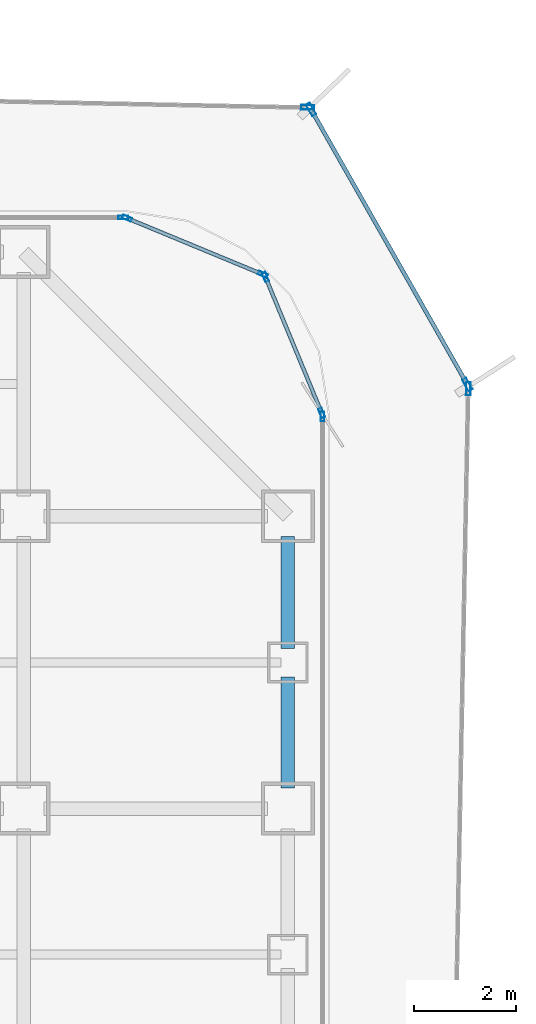
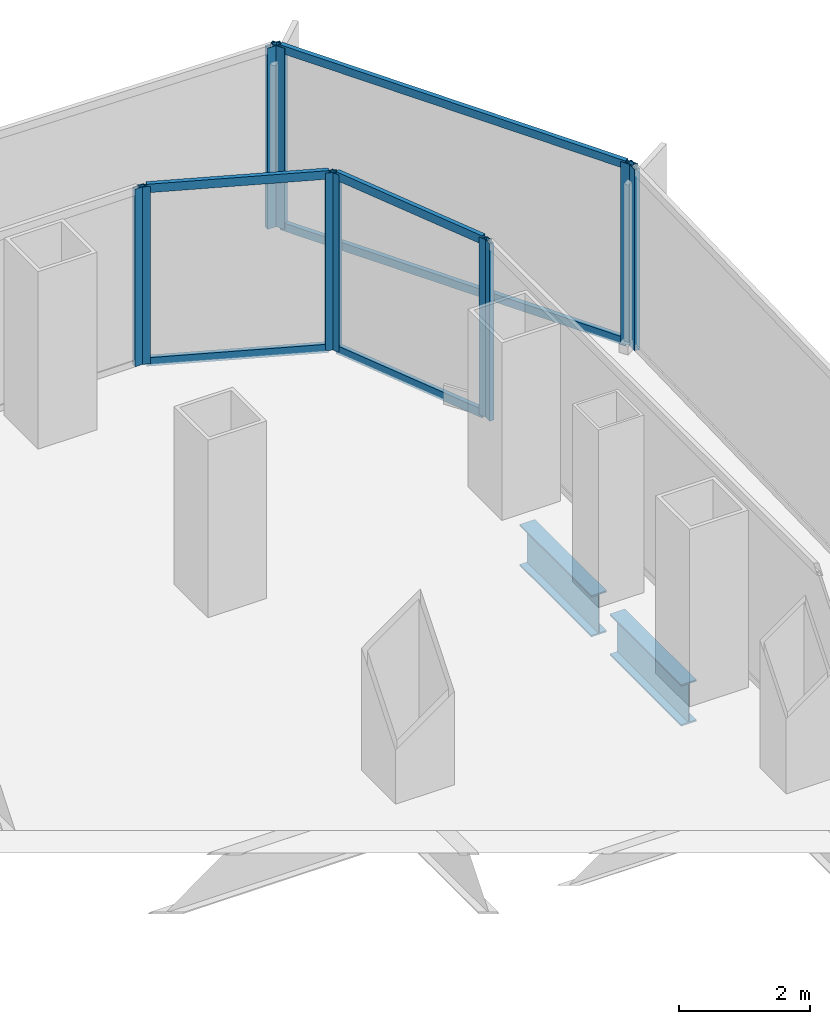
# One storey, part 15 of 21: 16 members, 2 beams, 7 elements without a shape of their own.
"""IFC4 building model written with IfcOpenShell, lengths in metres."""

import ifcopenshell
import ifcopenshell.guid

model = None  # the IFC model being written
_history = None  # IfcOwnerHistory: only IFC2X3 demands one
_inside = {}  # id of a spatial element -> (the spatial element, [elements in it])
_under = {}  # id of a project, library or spatial element -> (it, [spatial elements below it])
_declared = {}  # id of a project -> (the project, [libraries it declares])
_typed = {}  # id of a type object -> (the type object, [elements of that type])
_made_of = {}  # id of a material, layer set ... -> (it, [elements and type objects made of it])


def new_model(schema):
    """Start an empty IFC model of exactly this schema.

    Asked for "IFC4X3", IfcOpenShell would pick the latest addendum, in which some entities
    have other attributes; the version numbers below select the first issue.
    IFC2X3 requires an IfcOwnerHistory on every rooted entity: one is made here for all.
    """
    global model, _history
    if schema == "IFC4X3":
        model = ifcopenshell.file(schema_version=(4, 3, 0, 0))
    else:
        model = ifcopenshell.file(schema=schema)
    _inside.clear()
    _under.clear()
    _declared.clear()
    _typed.clear()
    _made_of.clear()
    _history = None
    if model.schema == "IFC2X3":
        org = make("IfcOrganization", Name="unknown")
        user = make(
            "IfcPersonAndOrganization",
            ThePerson=make("IfcPerson", FamilyName="unknown"),
            TheOrganization=org,
        )
        app = make(
            "IfcApplication",
            ApplicationDeveloper=org,
            Version="unknown",
            ApplicationFullName="unknown",
            ApplicationIdentifier="unknown",
        )
        _history = make(
            "IfcOwnerHistory",
            OwningUser=user,
            OwningApplication=app,
            ChangeAction="ADDED",
            CreationDate=0,
        )
    return model


def make(cls, **values):
    """One entity of the class cls with the attributes given. An attribute that is None is left unset."""
    return model.create_entity(
        cls, **{name: value for name, value in values.items() if value is not None}
    )


def rooted(cls, **values):
    """An entity with a GlobalId (a new one), such as an element, a storey or a relation."""
    return make(cls, GlobalId=ifcopenshell.guid.new(), OwnerHistory=_history, **values)


def si_unit(unit_type, name, prefix=None):
    """IfcSIUnit, for example si_unit("LENGTHUNIT", "METRE", prefix="MILLI")."""
    return make("IfcSIUnit", UnitType=unit_type, Prefix=prefix, Name=name)


def assignment(units):
    """IfcUnitAssignment: the units of a project."""
    return None if units is None else make("IfcUnitAssignment", Units=units)


def point(xyz):
    """IfcCartesianPoint."""
    return None if xyz is None else make("IfcCartesianPoint", Coordinates=xyz)


def direction(xyz):
    """IfcDirection."""
    return None if xyz is None else make("IfcDirection", DirectionRatios=xyz)


def frame(location, z_axis=None, x_axis=None):
    """IfcAxis2Placement3D, a coordinate frame: its origin and axes. An axis left out is left unset."""
    return make(
        "IfcAxis2Placement3D",
        Location=point(location),
        Axis=direction(z_axis),
        RefDirection=direction(x_axis),
    )


def frame_2d(location, x_axis=None):
    """IfcAxis2Placement2D, a coordinate frame in the plane: its origin and x axis."""
    return make(
        "IfcAxis2Placement2D", Location=point(location), RefDirection=direction(x_axis)
    )


def origin():
    """The frame at (0, 0, 0) with its axes left unset."""
    return frame((0.0, 0.0, 0.0))


def origin_2d():
    """The frame at (0, 0) in the plane with its x axis left unset."""
    return frame_2d((0.0, 0.0))


def place(relative_to, where):
    """IfcLocalPlacement: puts the frame where relative to a parent placement (None: the world)."""
    return make(
        "IfcLocalPlacement", PlacementRelTo=relative_to, RelativePlacement=where
    )


def context(
    kind, dimensions, precision=None, world=None, true_north=None, identifier=None
):
    """IfcGeometricRepresentationContext, for example the 3D "Model" context."""
    return make(
        "IfcGeometricRepresentationContext",
        ContextIdentifier=identifier,
        ContextType=kind,
        CoordinateSpaceDimension=dimensions,
        Precision=precision,
        WorldCoordinateSystem=world,
        TrueNorth=true_north,
    )


def subcontext(parent, identifier, kind, view, scale=None):
    """IfcGeometricRepresentationSubContext, for example "Body" below "Model"."""
    return make(
        "IfcGeometricRepresentationSubContext",
        ContextIdentifier=identifier,
        ContextType=kind,
        ParentContext=parent,
        TargetScale=scale,
        TargetView=view,
    )


def project(units=None, contexts=None):
    """IfcProject with its units and contexts."""
    return rooted(
        "IfcProject",
        Name="project",
        RepresentationContexts=contexts,
        UnitsInContext=assignment(units),
    )


def spatial(cls, under=None, at=None, **own):
    """A site, building, storey or space (cls), placed at a placement, below another one or the project."""
    s = rooted(cls, ObjectPlacement=at, **own)
    if under is not None:
        _under.setdefault(under.id(), (under, []))[1].append(s)
    return s


def profile(cls, at=None, kind="AREA", **sizes):
    """A parametric profile (cls). Its sizes go by their IFC names, for example OverallWidth=200.0."""
    return make(cls, ProfileType=kind, Position=at, **sizes)


def hollow_rectangle(**sizes):
    """IfcRectangleHollowProfileDef."""
    return profile("IfcRectangleHollowProfileDef", **sizes)


def i_section(**sizes):
    """IfcIShapeProfileDef."""
    return profile("IfcIShapeProfileDef", **sizes)


def extrude(swept, where, along, depth):
    """IfcExtrudedAreaSolid: the profile swept, set in the frame where, extruded along a direction by depth."""
    return make(
        "IfcExtrudedAreaSolid",
        SweptArea=swept,
        Position=where,
        ExtrudedDirection=direction(along),
        Depth=depth,
    )


def shape(context_of_items, identifier, shape_type, items):
    """IfcShapeRepresentation: the items that make up one representation, for example the "Body"."""
    return make(
        "IfcShapeRepresentation",
        ContextOfItems=context_of_items,
        RepresentationIdentifier=identifier,
        RepresentationType=shape_type,
        Items=items,
    )


def source(mapping_origin, context_of_items, identifier, shape_type, items):
    """IfcRepresentationMap: a shape defined once, which mapped items show again and again."""
    return make(
        "IfcRepresentationMap",
        MappingOrigin=mapping_origin,
        MappedRepresentation=shape(context_of_items, identifier, shape_type, items),
    )


def transform(
    local_origin,
    x_axis=None,
    y_axis=None,
    z_axis=None,
    scale=None,
    scale2=None,
    scale3=None,
    uniform=True,
):
    """IfcCartesianTransformationOperator3D, or its non-uniform kind. x_axis, y_axis, z_axis: its Axis1, 2, 3."""
    if uniform:
        return make(
            "IfcCartesianTransformationOperator3D",
            Axis1=direction(x_axis),
            Axis2=direction(y_axis),
            LocalOrigin=point(local_origin),
            Scale=scale,
            Axis3=direction(z_axis),
        )
    return make(
        "IfcCartesianTransformationOperator3DnonUniform",
        Axis1=direction(x_axis),
        Axis2=direction(y_axis),
        LocalOrigin=point(local_origin),
        Scale=scale,
        Axis3=direction(z_axis),
        Scale2=scale2,
        Scale3=scale3,
    )


def mapped(mapping_source, mapping_target):
    """IfcMappedItem: shows the shape of a source again, moved by a transform."""
    return make(
        "IfcMappedItem", MappingSource=mapping_source, MappingTarget=mapping_target
    )


def material(Name=None, Category=None):
    """IfcMaterial."""
    return make("IfcMaterial", Name=Name, Category=Category)


def layer(
    of_material, thickness, ventilated=None, Name=None, Category=None, Priority=None
):
    """IfcMaterialLayer: one layer of a wall or slab, of a material (None: an air gap)."""
    return make(
        "IfcMaterialLayer",
        Material=of_material,
        LayerThickness=thickness,
        IsVentilated=ventilated,
        Name=Name,
        Category=Category,
        Priority=Priority,
    )


def layer_set(layers, Name=None):
    """IfcMaterialLayerSet."""
    return make("IfcMaterialLayerSet", MaterialLayers=layers, LayerSetName=Name)


def material_profile(
    of_material, cross_section, Name=None, Category=None, Priority=None
):
    """IfcMaterialProfile: a cross section and its material."""
    return make(
        "IfcMaterialProfile",
        Name=Name,
        Material=of_material,
        Profile=cross_section,
        Priority=Priority,
        Category=Category,
    )


def profile_set(profiles, Name=None, composite=None):
    """IfcMaterialProfileSet."""
    return make(
        "IfcMaterialProfileSet",
        Name=Name,
        MaterialProfiles=profiles,
        CompositeProfile=composite,
    )


def made_of(thing, what):
    """Note that an element or type object is made of a material, layer set ...; save() writes the relation."""
    if what is not None:
        _made_of.setdefault(what.id(), (what, []))[1].append(thing)
    return thing


def type_object(cls, material=None, **own):
    """A type object (cls), such as IfcWallType, which elements share."""
    return made_of(rooted(cls, **own), material)


def element(
    cls,
    number,
    at=None,
    inside=None,
    cuts=None,
    type_object=None,
    material=None,
    context=None,
    identifier="Body",
    shape_type=None,
    held_by="IfcProductDefinitionShape",
    body=None,
    shapes=None,
    **own,
):
    """One element of the class cls, such as IfcWall. Its Tag is "e" and its number.

    at: its placement. inside: the storey or other place that contains it. cuts: it is an
    opening in that element (IfcRelVoidsElement). A single representation is given by context,
    identifier, shape_type and body (its items); several are given by shapes. held_by: the class
    of the entity that holds the representations. save() writes the other relations.
    """
    e = rooted(cls, Tag="e%d" % number, ObjectPlacement=at, **own)
    if body is not None:
        shapes = [shape(context, identifier, shape_type, body)]
    if shapes is not None:
        e.Representation = make(held_by, Representations=shapes)
    if inside is not None:
        _inside.setdefault(inside.id(), (inside, []))[1].append(e)
    if cuts is not None:
        rooted(
            "IfcRelVoidsElement", RelatingBuildingElement=cuts, RelatedOpeningElement=e
        )
    if type_object is not None:
        _typed.setdefault(type_object.id(), (type_object, []))[1].append(e)
    return made_of(e, material)


def aggregate(whole, parts):
    """IfcRelAggregates: a whole, such as a stair, and the parts it consists of."""
    return rooted("IfcRelAggregates", RelatingObject=whole, RelatedObjects=parts)


def save(model, path):
    """Write the relations noted so far, then the file.

    IfcRelAggregates (storeys below a building ...), IfcRelContainedInSpatialStructure (elements
    in a storey), IfcRelDefinesByType, IfcRelAssociatesMaterial and IfcRelDeclares: one each for
    every whole, place, type object, material and project.
    """
    for whole, parts in _under.values():
        aggregate(whole, parts)
    for where, things in _inside.values():
        rooted(
            "IfcRelContainedInSpatialStructure",
            RelatedElements=things,
            RelatingStructure=where,
        )
    for kind, things in _typed.values():
        rooted("IfcRelDefinesByType", RelatedObjects=things, RelatingType=kind)
    for what, things in _made_of.values():
        rooted("IfcRelAssociatesMaterial", RelatedObjects=things, RelatingMaterial=what)
    for by, libraries in _declared.values():
        rooted("IfcRelDeclares", RelatingContext=by, RelatedDefinitions=libraries)
    model.write(path)


model = new_model("IFC4")

# Units and contexts
model_context = context("Model", 3, precision=1e-05, world=origin(), true_north=direction((0.0, 1.0)))
body_context = subcontext(model_context, "Body", "Model", "MODEL_VIEW")
ifc_project = project(units=[si_unit("LENGTHUNIT", "METRE"), si_unit("AREAUNIT", "SQUARE_METRE"), si_unit("VOLUMEUNIT", "CUBIC_METRE"), si_unit("PLANEANGLEUNIT", "RADIAN"), si_unit("MASSUNIT", "GRAM", prefix="KILO")], contexts=[model_context])

# Site, building, storey
site_placement = place(None, origin())
site = spatial("IfcSite", under=ifc_project, at=site_placement, CompositionType="ELEMENT")
building_placement = place(site_placement, origin())
building = spatial("IfcBuilding", under=site, at=building_placement, Name="Kolveth Station Tower", CompositionType="ELEMENT")
storey_placement = place(building_placement, frame((0.0, 0.0, 62.10009765625)))
storey = spatial("IfcBuildingStorey", under=building, at=storey_placement, Name="L16", CompositionType="ELEMENT", Elevation=62.10009765625)

# Beams
ifc_material_1 = material(Name="Steel S355", Category="steel")
ifc_material_profile_1 = material_profile(ifc_material_1, i_section(OverallWidth=0.26904296875, OverallDepth=0.77490234375, WebThickness=0.01708984375, FlangeThickness=0.0283203125, at=origin_2d()), Name="W760x220")
ifc_profile_set_1 = profile_set([ifc_material_profile_1], Name="Steel S355")
beam_type = type_object("IfcBeamType", Name="Beam_SP1", PredefinedType="SPANDREL", material=ifc_profile_set_1)
shared_shape_1 = source(origin(), body_context, "Body", "SweptSolid", [
    extrude(i_section(OverallWidth=0.26904296875, OverallDepth=0.77490234375, WebThickness=0.01708984375, FlangeThickness=0.0283203125, at=origin_2d()), origin(), (0.0, 0.0, 1.0), 2.2001953125),
])
beam_1_placement = place(storey_placement, frame((46.199951171875, 31.89990234375, -0.66748046875), z_axis=(0.0, 1.0, 0.0), x_axis=(-1.0, 0.0, 0.0)))
element("IfcBeam", 1, at=beam_1_placement, inside=storey, type_object=beam_type, Name="L16 Perimeter Spandrel BM-L16-PE-10", PredefinedType="SPANDREL", context=body_context, shape_type="MappedRepresentation", body=[
    mapped(shared_shape_1, transform((0.0, 0.0, 0.0), x_axis=(1.0, 0.0, 0.0), y_axis=(0.0, 1.0, 0.0), z_axis=(0.0, 0.0, 1.0), scale=1.0)),
])
shared_shape_2 = source(origin(), body_context, "Body", "SweptSolid", [
    extrude(i_section(OverallWidth=0.26904296875, OverallDepth=0.77490234375, WebThickness=0.01708984375, FlangeThickness=0.0283203125, at=origin_2d()), origin(), (0.0, 0.0, 1.0), 2.190185546875),
])
beam_2_placement = place(storey_placement, frame((46.199951171875, 29.14990234375, -0.66748046875), z_axis=(0.0, 1.0, 0.0), x_axis=(-1.0, 0.0, 0.0)))
element("IfcBeam", 2, at=beam_2_placement, inside=storey, type_object=beam_type, Name="L16 Perimeter Spandrel BM-L16-PE-9", PredefinedType="SPANDREL", context=body_context, shape_type="MappedRepresentation", body=[
    mapped(shared_shape_2, transform((0.0, 0.0, 0.0), x_axis=(1.0, 0.0, 0.0), y_axis=(0.0, 1.0, 0.0), z_axis=(0.0, 0.0, 1.0), scale=1.0)),
])

# Curtain wall, members
ifc_material_2 = material(Name="Aluminium 6063-T6 and low-E dark glass", Category="aluminium")
ifc_layer_1 = layer(ifc_material_2, 0.179931640625)
ifc_layer_set_1 = layer_set([ifc_layer_1], Name="Aluminium 6063-T6 and low-E dark glass")
curtain_wall_type_1 = type_object("IfcCurtainWallType", Name="CurtainWall_CW-Z1", PredefinedType="NOTDEFINED", material=ifc_layer_set_1)
curtain_wall_1_placement = place(storey_placement, origin())
curtain_wall_1 = element("IfcCurtainWall", 3, at=curtain_wall_1_placement, inside=storey, type_object=curtain_wall_type_1, Name="L16 Inner Thermal Curtain Wall 4", PredefinedType="NOTDEFINED")
ifc_material_3 = material(Name="Black anodized aluminium 6063-T6", Category="aluminium")
ifc_material_profile_2 = material_profile(ifc_material_3, hollow_rectangle(XDim=0.074951171875, YDim=0.159912109375, WallThickness=0.0048828125, at=origin_2d()), Name="ALU-75x160x5")
ifc_profile_set_2 = profile_set([ifc_material_profile_2], Name="Black anodized aluminium 6063-T6")
member_type_1 = type_object("IfcMemberType", Name="Transom_TR1", PredefinedType="USERDEFINED", material=ifc_profile_set_2)
shared_shape_3 = source(origin(), body_context, "Body", "SweptSolid", [
    extrude(hollow_rectangle(XDim=0.074951171875, YDim=0.159912109375, WallThickness=0.0048828125, at=origin_2d()), origin(), (0.0, 0.0, 1.0), 2.819580078125),
])
member_1_placement = place(storey_placement, frame((46.851318359375, 36.5693359375, 0.037353515625), z_axis=(-0.382708655389, 0.923869084389, 0.0), x_axis=(-0.923869084389, -0.382708655389, 0.0)))
member_1 = element("IfcMember", 4, at=member_1_placement, type_object=member_type_1, Name="CW-Z1 transom 1.1", ObjectType="TRANSOM", PredefinedType="USERDEFINED", context=body_context, shape_type="MappedRepresentation", body=[
    mapped(shared_shape_3, transform((0.0, 0.0, 0.0), x_axis=(1.0, 0.0, 0.0), y_axis=(0.0, 1.0, 0.0), z_axis=(0.0, 0.0, 1.0), scale=1.0)),
])
member_2_placement = place(storey_placement, frame((46.851318359375, 36.5693359375, 3.282470703125), z_axis=(-0.382708655389, 0.923869084389, 0.0), x_axis=(-0.923869084389, -0.382708655389, 0.0)))
member_2 = element("IfcMember", 5, at=member_2_placement, type_object=member_type_1, Name="CW-Z1 transom 1.2", ObjectType="TRANSOM", PredefinedType="USERDEFINED", context=body_context, shape_type="MappedRepresentation", body=[
    mapped(shared_shape_3, transform((0.0, 0.0, 0.0), x_axis=(1.0, 0.0, 0.0), y_axis=(0.0, 1.0, 0.0), z_axis=(0.0, 0.0, 1.0), scale=1.0)),
])

curtain_wall_2_placement = place(storey_placement, origin())
curtain_wall_2 = element("IfcCurtainWall", 6, at=curtain_wall_2_placement, inside=storey, type_object=curtain_wall_type_1, Name="L16 Inner Thermal Curtain Wall 5", PredefinedType="NOTDEFINED")
member_3_placement = place(storey_placement, frame((45.67431640625, 39.272216796875, 0.037353515625), z_axis=(-0.923869084389, 0.382708655389, 0.0), x_axis=(-0.382708655389, -0.923869084389, 0.0)))
member_3 = element("IfcMember", 7, at=member_3_placement, type_object=member_type_1, Name="CW-Z1 transom 1.1", ObjectType="TRANSOM", PredefinedType="USERDEFINED", context=body_context, shape_type="MappedRepresentation", body=[
    mapped(shared_shape_3, transform((0.0, 0.0, 0.0), x_axis=(1.0, 0.0, 0.0), y_axis=(0.0, 1.0, 0.0), z_axis=(0.0, 0.0, 1.0), scale=1.0)),
])
member_4_placement = place(storey_placement, frame((45.67431640625, 39.272216796875, 3.282470703125), z_axis=(-0.923869084389, 0.382708655389, 0.0), x_axis=(-0.382708655389, -0.923869084389, 0.0)))
member_4 = element("IfcMember", 8, at=member_4_placement, type_object=member_type_1, Name="CW-Z1 transom 1.2", ObjectType="TRANSOM", PredefinedType="USERDEFINED", context=body_context, shape_type="MappedRepresentation", body=[
    mapped(shared_shape_3, transform((0.0, 0.0, 0.0), x_axis=(1.0, 0.0, 0.0), y_axis=(0.0, 1.0, 0.0), z_axis=(0.0, 0.0, 1.0), scale=1.0)),
])

# Curtain wall, member
ifc_material_4 = material(Name="Black anodized aluminium 6063-T6 and dark solar glass", Category="aluminium")
ifc_layer_2 = layer(ifc_material_4, 0.159912109375)
ifc_layer_set_2 = layer_set([ifc_layer_2], Name="Black anodized aluminium 6063-T6 and dark solar glass")
curtain_wall_type_2 = type_object("IfcCurtainWallType", Name="OUTER SKIN CW-OS", PredefinedType="NOTDEFINED", material=ifc_layer_set_2)
curtain_wall_3_placement = place(storey_placement, origin())
curtain_wall_3 = element("IfcCurtainWall", 9, at=curtain_wall_3_placement, inside=storey, type_object=curtain_wall_type_2, Name="L16 Outer Ventilated Skin Curtain Wall 2", PredefinedType="NOTDEFINED")
ifc_material_profile_3 = material_profile(ifc_material_3, hollow_rectangle(XDim=0.090087890625, YDim=0.260009765625, WallThickness=0.0048828125, at=origin_2d()), Name="ALU-90x260x5")
ifc_profile_set_3 = profile_set([ifc_material_profile_3], Name="Black anodized aluminium 6063-T6")
member_type_2 = type_object("IfcMemberType", Name="FIN MULLION ML-OS", PredefinedType="MULLION", material=ifc_profile_set_3)
shared_shape_4 = source(origin(), body_context, "Body", "SweptSolid", [
    extrude(hollow_rectangle(XDim=0.090087890625, YDim=0.260009765625, WallThickness=0.0048828125, at=origin_2d()), origin(), (0.0, 0.0, 1.0), 3.389892578125),
])
member_5_placement = place(storey_placement, frame((49.751953125, 37.010009765625, 0.0), z_axis=(0.0, 0.0, 1.0), x_axis=(-0.999811078931, 0.01943724381, 0.0)))
member_5 = element("IfcMember", 10, at=member_5_placement, type_object=member_type_2, Name="CW-OS mullion 2", PredefinedType="MULLION", context=body_context, shape_type="MappedRepresentation", body=[
    mapped(shared_shape_4, transform((0.0, 0.0, 0.0), x_axis=(1.0, 0.0, 0.0), y_axis=(0.0, 1.0, 0.0), z_axis=(0.0, 0.0, 1.0), scale=1.0)),
])
aggregate(curtain_wall_3, [member_5])

# Curtain wall, members
curtain_wall_4_placement = place(storey_placement, origin())
curtain_wall_4 = element("IfcCurtainWall", 11, at=curtain_wall_4_placement, inside=storey, type_object=curtain_wall_type_2, Name="L16 Outer Ventilated Skin Curtain Wall 3", PredefinedType="NOTDEFINED")
member_6_placement = place(storey_placement, frame((49.730712890625, 37.09423828125, 0.0), z_axis=(0.0, 0.0, 1.0), x_axis=(-0.869496595267, -0.493938934301, 0.0)))
member_6 = element("IfcMember", 12, at=member_6_placement, type_object=member_type_2, Name="CW-OS mullion 1", PredefinedType="MULLION", context=body_context, shape_type="MappedRepresentation", body=[
    mapped(shared_shape_4, transform((0.0, 0.0, 0.0), x_axis=(1.0, 0.0, 0.0), y_axis=(0.0, 1.0, 0.0), z_axis=(0.0, 0.0, 1.0), scale=1.0)),
])
member_7_placement = place(storey_placement, frame((46.65625, 42.50634765625, 0.0), z_axis=(0.0, 0.0, 1.0), x_axis=(-0.869496595267, -0.493938934301, 0.0)))
member_7 = element("IfcMember", 13, at=member_7_placement, type_object=member_type_2, Name="CW-OS mullion 2", PredefinedType="MULLION", context=body_context, shape_type="MappedRepresentation", body=[
    mapped(shared_shape_4, transform((0.0, 0.0, 0.0), x_axis=(1.0, 0.0, 0.0), y_axis=(0.0, 1.0, 0.0), z_axis=(0.0, 0.0, 1.0), scale=1.0)),
])

# Curtain wall, member
curtain_wall_5_placement = place(storey_placement, origin())
curtain_wall_5 = element("IfcCurtainWall", 14, at=curtain_wall_5_placement, inside=storey, type_object=curtain_wall_type_2, Name="L16 Outer Ventilated Skin Curtain Wall 4", PredefinedType="NOTDEFINED")
member_8_placement = place(storey_placement, frame((46.589111328125, 42.54638671875, 0.0), z_axis=(0.0, 0.0, 1.0), x_axis=(-0.020301204973, -0.999793909302, 0.0)))
member_8 = element("IfcMember", 15, at=member_8_placement, type_object=member_type_2, Name="CW-OS mullion 1", PredefinedType="MULLION", context=body_context, shape_type="MappedRepresentation", body=[
    mapped(shared_shape_4, transform((0.0, 0.0, 0.0), x_axis=(1.0, 0.0, 0.0), y_axis=(0.0, 1.0, 0.0), z_axis=(0.0, 0.0, 1.0), scale=1.0)),
])
aggregate(curtain_wall_5, [member_8])

curtain_wall_6_placement = place(storey_placement, origin())
curtain_wall_6 = element("IfcCurtainWall", 16, at=curtain_wall_6_placement, inside=storey, type_object=curtain_wall_type_1, Name="L16 Inner Thermal Curtain Wall 3", PredefinedType="NOTDEFINED")
ifc_material_profile_4 = material_profile(ifc_material_3, hollow_rectangle(XDim=0.074951171875, YDim=0.18994140625, WallThickness=0.0048828125, at=origin_2d()), Name="ALU-75x190x5")
ifc_profile_set_4 = profile_set([ifc_material_profile_4], Name="Black anodized aluminium 6063-T6")
member_type_3 = type_object("IfcMemberType", Name="Mullion_ML1", PredefinedType="MULLION", material=ifc_profile_set_4)
shared_shape_5 = source(origin(), body_context, "Body", "SweptSolid", [
    extrude(hollow_rectangle(XDim=0.074951171875, YDim=0.18994140625, WallThickness=0.0048828125, at=origin_2d()), origin(), (0.0, 0.0, 1.0), 3.31982421875),
])
member_9_placement = place(storey_placement, frame((46.8798828125, 36.46240234375, 0.0), z_axis=(0.0, 0.0, 1.0), x_axis=(-1.0, 0.0, 0.0)))
member_9 = element("IfcMember", 17, at=member_9_placement, type_object=member_type_3, Name="CW-Z1 mullion 2", PredefinedType="MULLION", context=body_context, shape_type="MappedRepresentation", body=[
    mapped(shared_shape_5, transform((0.0, 0.0, 0.0), x_axis=(1.0, 0.0, 0.0), y_axis=(0.0, 1.0, 0.0), z_axis=(0.0, 0.0, 1.0), scale=1.0)),
])
aggregate(curtain_wall_6, [member_9])

# Member
member_10_placement = place(storey_placement, frame((46.86572265625, 36.53466796875, 0.0), z_axis=(0.0, 0.0, 1.0), x_axis=(-0.923883857728, -0.382672990201, 0.0)))
member_10 = element("IfcMember", 18, at=member_10_placement, type_object=member_type_3, Name="CW-Z1 mullion 1", PredefinedType="MULLION", context=body_context, shape_type="MappedRepresentation", body=[
    mapped(shared_shape_5, transform((0.0, 0.0, 0.0), x_axis=(1.0, 0.0, 0.0), y_axis=(0.0, 1.0, 0.0), z_axis=(0.0, 0.0, 1.0), scale=1.0)),
])

member_11_placement = place(storey_placement, frame((45.758056640625, 39.208984375, 0.0), z_axis=(0.0, 0.0, 1.0), x_axis=(-0.923883857728, -0.382672990201, 0.0)))
member_11 = element("IfcMember", 19, at=member_11_placement, type_object=member_type_3, Name="CW-Z1 mullion 2", PredefinedType="MULLION", context=body_context, shape_type="MappedRepresentation", body=[
    mapped(shared_shape_5, transform((0.0, 0.0, 0.0), x_axis=(1.0, 0.0, 0.0), y_axis=(0.0, 1.0, 0.0), z_axis=(0.0, 0.0, 1.0), scale=1.0)),
])

aggregate(curtain_wall_1, [member_10, member_11, member_1, member_2])

member_12_placement = place(storey_placement, frame((45.708984375, 39.258056640625, 0.0), z_axis=(0.0, 0.0, 1.0), x_axis=(-0.382672990201, -0.923883857728, 0.0)))
member_12 = element("IfcMember", 20, at=member_12_placement, type_object=member_type_3, Name="CW-Z1 mullion 1", PredefinedType="MULLION", context=body_context, shape_type="MappedRepresentation", body=[
    mapped(shared_shape_5, transform((0.0, 0.0, 0.0), x_axis=(1.0, 0.0, 0.0), y_axis=(0.0, 1.0, 0.0), z_axis=(0.0, 0.0, 1.0), scale=1.0)),
])

member_13_placement = place(storey_placement, frame((43.03466796875, 40.36572265625, 0.0), z_axis=(0.0, 0.0, 1.0), x_axis=(-0.382672990201, -0.923883857728, 0.0)))
member_13 = element("IfcMember", 21, at=member_13_placement, type_object=member_type_3, Name="CW-Z1 mullion 2", PredefinedType="MULLION", context=body_context, shape_type="MappedRepresentation", body=[
    mapped(shared_shape_5, transform((0.0, 0.0, 0.0), x_axis=(1.0, 0.0, 0.0), y_axis=(0.0, 1.0, 0.0), z_axis=(0.0, 0.0, 1.0), scale=1.0)),
])

aggregate(curtain_wall_2, [member_12, member_13, member_3, member_4])

# Curtain wall, member
curtain_wall_7_placement = place(storey_placement, origin())
curtain_wall_7 = element("IfcCurtainWall", 22, at=curtain_wall_7_placement, inside=storey, type_object=curtain_wall_type_1, Name="L16 Inner Thermal Curtain Wall 6", PredefinedType="NOTDEFINED")
member_14_placement = place(storey_placement, frame((42.96240234375, 40.3798828125, 0.0), z_axis=(0.0, 0.0, 1.0), x_axis=(0.0, -1.0, 0.0)))
member_14 = element("IfcMember", 23, at=member_14_placement, type_object=member_type_3, Name="CW-Z1 mullion 1", PredefinedType="MULLION", context=body_context, shape_type="MappedRepresentation", body=[
    mapped(shared_shape_5, transform((0.0, 0.0, 0.0), x_axis=(1.0, 0.0, 0.0), y_axis=(0.0, 1.0, 0.0), z_axis=(0.0, 0.0, 1.0), scale=1.0)),
])
aggregate(curtain_wall_7, [member_14])

# Member
ifc_material_profile_5 = material_profile(ifc_material_3, hollow_rectangle(XDim=0.080078125, YDim=0.14990234375, WallThickness=0.0048828125, at=origin_2d()), Name="ALU-80x150x5")
ifc_profile_set_5 = profile_set([ifc_material_profile_5], Name="Black anodized aluminium 6063-T6")
member_type_4 = type_object("IfcMemberType", Name="Transom_TR-OS", PredefinedType="USERDEFINED", material=ifc_profile_set_5)
shared_shape_6 = source(origin(), body_context, "Body", "SweptSolid", [
    extrude(hollow_rectangle(XDim=0.080078125, YDim=0.14990234375, WallThickness=0.0048828125, at=origin_2d()), origin(), (0.0, 0.0, 1.0), 6.13427734375),
])
member_15_placement = place(storey_placement, frame((49.70849609375, 37.13330078125, 0.039794921875), z_axis=(-0.493947182301, 0.869491909736, 0.0), x_axis=(-0.869491909736, -0.493947182301, 0.0)))
member_15 = element("IfcMember", 24, at=member_15_placement, type_object=member_type_4, Name="CW-OS transom 1.1", ObjectType="TRANSOM", PredefinedType="USERDEFINED", context=body_context, shape_type="MappedRepresentation", body=[
    mapped(shared_shape_6, transform((0.0, 0.0, 0.0), x_axis=(1.0, 0.0, 0.0), y_axis=(0.0, 1.0, 0.0), z_axis=(0.0, 0.0, 1.0), scale=1.0)),
])

member_16_placement = place(storey_placement, frame((49.70849609375, 37.13330078125, 3.349853515625), z_axis=(-0.493947182301, 0.869491909736, 0.0), x_axis=(-0.869491909736, -0.493947182301, 0.0)))
member_16 = element("IfcMember", 25, at=member_16_placement, type_object=member_type_4, Name="CW-OS transom 1.2", ObjectType="TRANSOM", PredefinedType="USERDEFINED", context=body_context, shape_type="MappedRepresentation", body=[
    mapped(shared_shape_6, transform((0.0, 0.0, 0.0), x_axis=(1.0, 0.0, 0.0), y_axis=(0.0, 1.0, 0.0), z_axis=(0.0, 0.0, 1.0), scale=1.0)),
])

aggregate(curtain_wall_4, [member_6, member_7, member_15, member_16])

save(model, "model.ifc")
